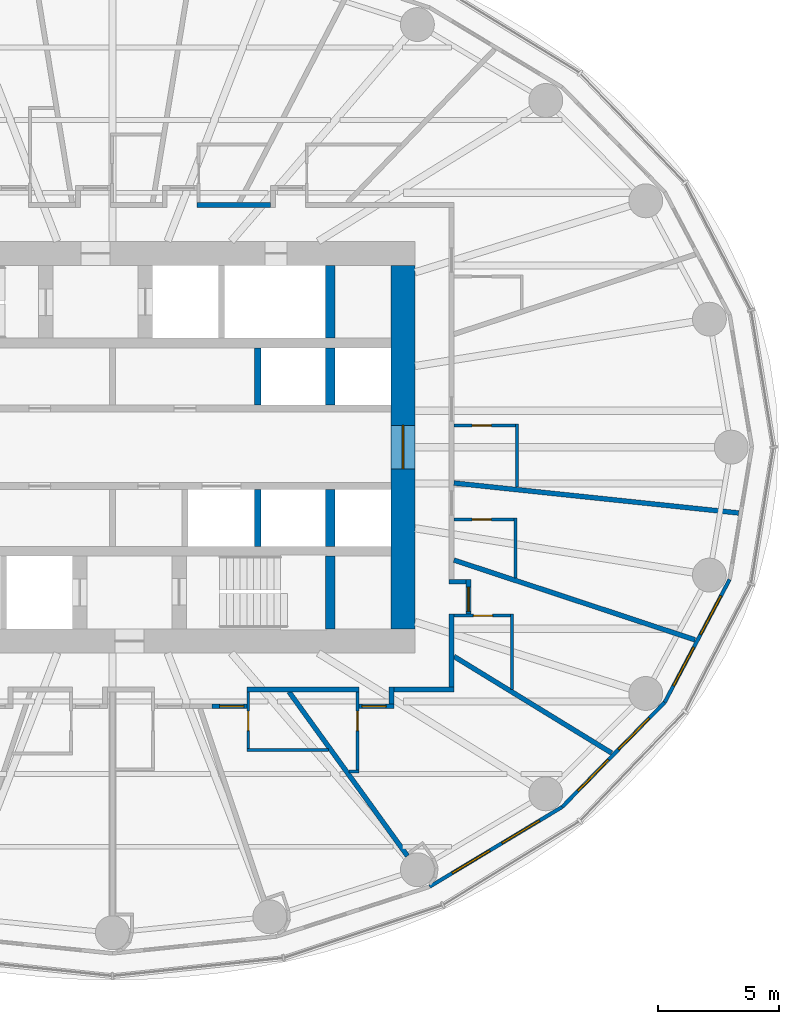
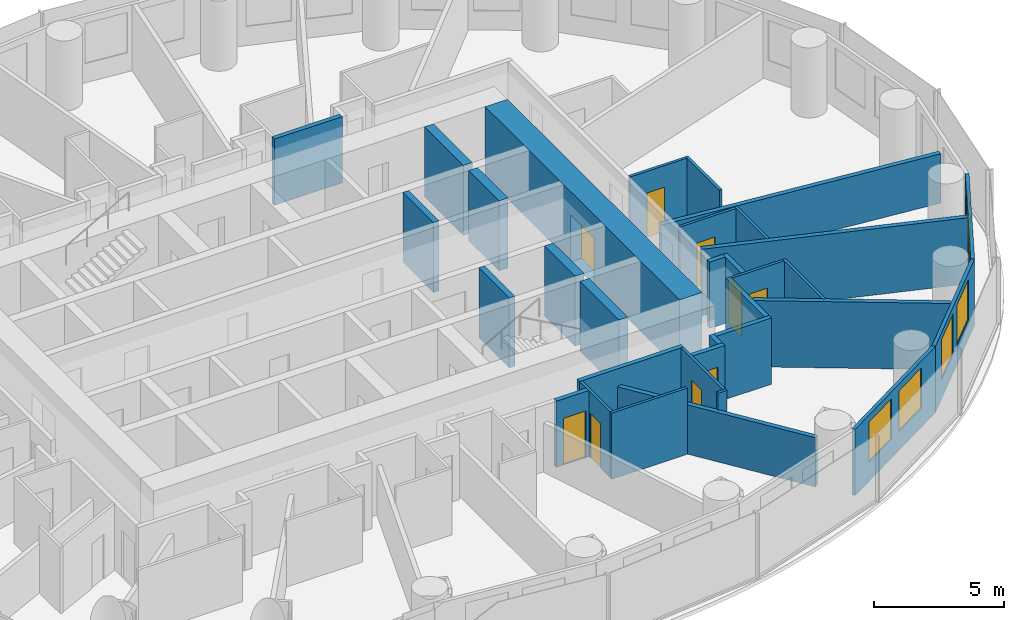
# One storey, part 10 of 14: 33 walls, 9 doors, 6 windows, 15 openings.
"""IFC4 building model written with IfcOpenShell, lengths in metres."""

from ifc_helpers import new_model, si_unit, direction, frame, frame_2d, origin, place, context, subcontext, project, spatial, rectangle, extrude, material, layer, layer_set, type_object, element, fill, save


model = new_model("IFC4")

# Units and contexts
model_context = context("Model", 3, precision=1e-05, world=origin(), true_north=direction((0.0, 1.0)))
body_context = subcontext(model_context, "Body", "Model", "MODEL_VIEW")
ifc_project = project(units=[si_unit("LENGTHUNIT", "METRE"), si_unit("AREAUNIT", "SQUARE_METRE"), si_unit("VOLUMEUNIT", "CUBIC_METRE"), si_unit("PLANEANGLEUNIT", "RADIAN"), si_unit("MASSUNIT", "GRAM", prefix="KILO")], contexts=[model_context])

# Site, building, storey
site_placement = place(None, origin())
site = spatial("IfcSite", under=ifc_project, at=site_placement, CompositionType="ELEMENT")
building_placement = place(site_placement, origin())
building = spatial("IfcBuilding", under=site, at=building_placement, Name="Hankou Lantern Tower", CompositionType="ELEMENT")
storey_placement = place(building_placement, frame((0.0, 0.0, 57.300048828125)))
storey = spatial("IfcBuildingStorey", under=building, at=storey_placement, Name="L13", CompositionType="ELEMENT", Elevation=57.300048828125)

# Wall, opening, door
ifc_material_1 = material(Name="Concrete C60", Category="concrete")
ifc_layer_1 = layer(ifc_material_1, 1.0)
ifc_layer_set_1 = layer_set([ifc_layer_1], Name="Concrete C60")
wall_type_1 = type_object("IfcWallType", Name="CW1 CORE WALL 1000", PredefinedType="SHEAR", material=ifc_layer_set_1)
wall_1_placement = place(storey_placement, frame((12.0, -7.5, 0.0), z_axis=(0.0, 0.0, 1.0), x_axis=(0.0, 1.0, 0.0)))
wall_1 = element("IfcWall", 1, at=wall_1_placement, inside=storey, type_object=wall_type_1, Name="Core wall east L13", PredefinedType="SHEAR", context=body_context, shape_type="SweptSolid", body=[
    extrude(rectangle(XDim=15.0, YDim=1.0, at=frame_2d((7.5, 0.0))), origin(), (0.0, 0.0, 1.0), 3.300048828125),
])
opening_1_placement = place(wall_1_placement, frame((6.60009765625, 0.0, 0.0)))
opening_1 = element("IfcOpeningElement", 2, at=opening_1_placement, cuts=wall_1, Name="Opening D6", PredefinedType="OPENING", context=body_context, shape_type="SweptSolid", body=[
    extrude(rectangle(XDim=1.800048828125, YDim=2.199951171875, at=frame_2d((0.89990234375, 1.10009765625))), frame((0.0, 0.510009765625, 0.0), z_axis=(0.0, -1.0, 0.0), x_axis=(1.0, 0.0, 0.0)), (0.0, 0.0, 1.0), 1.02001953125),
])
ifc_material_2 = material(Name="Steel door leaf", Category="steel")
door_type_1 = type_object("IfcDoorType", Name="D6 LIFT LOBBY DOOR 1800X2200", OperationType="DOUBLE_DOOR_DOUBLE_SWING", PredefinedType="DOOR", material=ifc_material_2)
door_1_placement = place(opening_1_placement, origin())
door_1 = element("IfcDoor", 3, at=door_1_placement, inside=storey, type_object=door_type_1, Name="Lift lobby east door", OperationType="DOUBLE_DOOR_DOUBLE_SWING", OverallHeight=2.199951171875, OverallWidth=1.800048828125, PredefinedType="DOOR", context=body_context, shape_type="SweptSolid", body=[
    extrude(rectangle(XDim=1.800048828125, YDim=2.199951171875, at=frame_2d((0.89990234375, 1.10009765625))), frame((0.0, 0.02490234375, 0.0), z_axis=(0.0, -1.0, 0.0), x_axis=(1.0, 0.0, 0.0)), (0.0, 0.0, 1.0), 0.050048828125),
])
fill(opening_1, door_1)

# Walls
ifc_material_3 = material(Name="Concrete C60", Category="concrete")
ifc_layer_2 = layer(ifc_material_3, 0.39990234375)
ifc_layer_set_2 = layer_set([ifc_layer_2], Name="Concrete C60")
wall_type_2 = type_object("IfcWallType", Name="CW4 CORE CROSS WALL 400", PredefinedType="SHEAR", material=ifc_layer_set_2)
wall_2_placement = place(storey_placement, frame((9.0, 4.5, 0.0), z_axis=(0.0, 0.0, 1.0), x_axis=(0.0, 1.0, 0.0)))
element("IfcWall", 4, at=wall_2_placement, inside=storey, type_object=wall_type_2, Name="Core strip wall L13", PredefinedType="SHEAR", context=body_context, shape_type="SweptSolid", body=[
    extrude(rectangle(XDim=3.0, YDim=0.39990234375, at=frame_2d((1.5, 0.0))), origin(), (0.0, 0.0, 1.0), 3.300048828125),
])
for number, where, z_axis, x_axis, name in (
    (5, (9.0, 1.75, 0.0), (0.0, 0.0, 1.0), (0.0, 1.0, 0.0), "Core strip wall L13"),
    (6, (9.0, -4.10009765625, 0.0), (0.0, 0.0, 1.0), (0.0, 1.0, 0.0), "Core strip wall L13"),
):
    element("IfcWall", number, at=place(storey_placement, frame(where, z_axis=z_axis, x_axis=x_axis)), inside=storey, type_object=wall_type_2, Name=name, PredefinedType="SHEAR", context=body_context, shape_type="SweptSolid", body=[
        extrude(rectangle(XDim=2.35009765625, YDim=0.39990234375, at=frame_2d((1.175048828125, 0.0))), origin(), (0.0, 0.0, 1.0), 3.300048828125),
    ])
wall_3_placement = place(storey_placement, frame((9.0, -7.5, 0.0), z_axis=(0.0, 0.0, 1.0), x_axis=(0.0, 1.0, 0.0)))
element("IfcWall", 7, at=wall_3_placement, inside=storey, type_object=wall_type_2, Name="Core strip wall L13", PredefinedType="SHEAR", context=body_context, shape_type="SweptSolid", body=[
    extrude(rectangle(XDim=3.0, YDim=0.39990234375, at=frame_2d((1.5, 0.0))), origin(), (0.0, 0.0, 1.0), 3.300048828125),
])

# Wall, openings, windows
ifc_material_4 = material(Name="Aluminium spandrel panel on steel studs", Category="steel")
ifc_layer_3 = layer(ifc_material_4, 0.14990234375)
ifc_layer_set_3 = layer_set([ifc_layer_3], Name="Aluminium spandrel panel on steel studs")
wall_type_3 = type_object("IfcWallType", Name="EW1 INNER SKIN WALL 150", PredefinedType="ELEMENTEDWALL", material=ifc_layer_set_3)
wall_4_placement = place(storey_placement, frame((13.096435546875, -18.14697265625, 0.0), z_axis=(0.0, 0.0, 1.0), x_axis=(0.856983180864, 0.515344377787, 0.0)))
wall_4 = element("IfcWall", 8, at=wall_4_placement, inside=storey, type_object=wall_type_3, Name="Inner skin R21-R22 L13", PredefinedType="ELEMENTEDWALL", context=body_context, shape_type="SweptSolid", body=[
    extrude(rectangle(XDim=6.386474609375, YDim=0.14990234375, at=frame_2d((3.193359375, 0.0))), origin(), (0.0, 0.0, 1.0), 3.119873046875),
])
opening_2_placement = place(wall_4_placement, frame((1.09326171875, 0.0, 0.89990234375)))
opening_2 = element("IfcOpeningElement", 9, at=opening_2_placement, cuts=wall_4, Name="Opening W1", PredefinedType="OPENING", context=body_context, shape_type="SweptSolid", body=[
    extrude(rectangle(XDim=1.800048828125, YDim=1.89990234375, at=frame_2d((0.89990234375, 0.949951171875))), frame((0.0, 0.0849609375, 0.0), z_axis=(0.0, -1.0, 0.0), x_axis=(1.0, 0.0, 0.0)), (0.0, 0.0, 1.0), 0.169921875),
])
opening_3_placement = place(wall_4_placement, frame((3.4931640625, 0.0, 0.89990234375)))
opening_3 = element("IfcOpeningElement", 10, at=opening_3_placement, cuts=wall_4, Name="Opening W1", PredefinedType="OPENING", context=body_context, shape_type="SweptSolid", body=[
    extrude(rectangle(XDim=1.800048828125, YDim=1.89990234375, at=frame_2d((0.89990234375, 0.949951171875))), frame((0.0, 0.0849609375, 0.0), z_axis=(0.0, -1.0, 0.0), x_axis=(1.0, 0.0, 0.0)), (0.0, 0.0, 1.0), 0.169921875),
])
ifc_material_5 = material(Name="Aluminium framed double glazed window", Category="aluminium")
window_type = type_object("IfcWindowType", Name="W1 GUEST ROOM WINDOW 1800X1900", PartitioningType="DOUBLE_PANEL_VERTICAL", PredefinedType="WINDOW", material=ifc_material_5)
window_1_placement = place(opening_2_placement, origin())
window_1 = element("IfcWindow", 11, at=window_1_placement, inside=storey, type_object=window_type, Name="Window R21.1 L13", OverallHeight=1.89990234375, OverallWidth=1.800048828125, PartitioningType="SINGLE_PANEL", PredefinedType="WINDOW", context=body_context, shape_type="SweptSolid", body=[
    extrude(rectangle(XDim=1.800048828125, YDim=1.89990234375, at=frame_2d((0.89990234375, 0.949951171875))), frame((0.0, 0.030029296875, 0.0), z_axis=(0.0, -1.0, 0.0), x_axis=(1.0, 0.0, 0.0)), (0.0, 0.0, 1.0), 0.06005859375),
])
fill(opening_2, window_1)
window_2_placement = place(opening_3_placement, origin())
window_2 = element("IfcWindow", 12, at=window_2_placement, inside=storey, type_object=window_type, Name="Window R21.2 L13", OverallHeight=1.89990234375, OverallWidth=1.800048828125, PartitioningType="SINGLE_PANEL", PredefinedType="WINDOW", context=body_context, shape_type="SweptSolid", body=[
    extrude(rectangle(XDim=1.800048828125, YDim=1.89990234375, at=frame_2d((0.89990234375, 0.949951171875))), frame((0.0, 0.030029296875, 0.0), z_axis=(0.0, -1.0, 0.0), x_axis=(1.0, 0.0, 0.0)), (0.0, 0.0, 1.0), 0.06005859375),
])
fill(opening_3, window_2)

wall_5_placement = place(storey_placement, frame((18.569580078125, -14.855712890625, 0.0), z_axis=(0.0, 0.0, 1.0), x_axis=(0.699602905915, 0.714531856557, 0.0)))
wall_5 = element("IfcWall", 13, at=wall_5_placement, inside=storey, type_object=wall_type_3, Name="Inner skin R22-R23 L13", PredefinedType="ELEMENTEDWALL", context=body_context, shape_type="SweptSolid", body=[
    extrude(rectangle(XDim=6.05078125, YDim=0.14990234375, at=frame_2d((3.025390625, 0.0))), origin(), (0.0, 0.0, 1.0), 3.119873046875),
])
opening_4_placement = place(wall_5_placement, frame((0.925537109375, 0.0, 0.89990234375)))
opening_4 = element("IfcOpeningElement", 14, at=opening_4_placement, cuts=wall_5, Name="Opening W1", PredefinedType="OPENING", context=body_context, shape_type="SweptSolid", body=[
    extrude(rectangle(XDim=1.800048828125, YDim=1.89990234375, at=frame_2d((0.89990234375, 0.949951171875))), frame((0.0, 0.0849609375, 0.0), z_axis=(0.0, -1.0, 0.0), x_axis=(1.0, 0.0, 0.0)), (0.0, 0.0, 1.0), 0.169921875),
])
opening_5_placement = place(wall_5_placement, frame((3.325439453125, 0.0, 0.89990234375)))
opening_5 = element("IfcOpeningElement", 15, at=opening_5_placement, cuts=wall_5, Name="Opening W1", PredefinedType="OPENING", context=body_context, shape_type="SweptSolid", body=[
    extrude(rectangle(XDim=1.800048828125, YDim=1.89990234375, at=frame_2d((0.89990234375, 0.949951171875))), frame((0.0, 0.0849609375, 0.0), z_axis=(0.0, -1.0, 0.0), x_axis=(1.0, 0.0, 0.0)), (0.0, 0.0, 1.0), 0.169921875),
])
window_3_placement = place(opening_4_placement, origin())
window_3 = element("IfcWindow", 16, at=window_3_placement, inside=storey, type_object=window_type, Name="Window R22.1 L13", OverallHeight=1.89990234375, OverallWidth=1.800048828125, PartitioningType="SINGLE_PANEL", PredefinedType="WINDOW", context=body_context, shape_type="SweptSolid", body=[
    extrude(rectangle(XDim=1.800048828125, YDim=1.89990234375, at=frame_2d((0.89990234375, 0.949951171875))), frame((0.0, 0.030029296875, 0.0), z_axis=(0.0, -1.0, 0.0), x_axis=(1.0, 0.0, 0.0)), (0.0, 0.0, 1.0), 0.06005859375),
])
fill(opening_4, window_3)
window_4_placement = place(opening_5_placement, origin())
window_4 = element("IfcWindow", 17, at=window_4_placement, inside=storey, type_object=window_type, Name="Window R22.2 L13", OverallHeight=1.89990234375, OverallWidth=1.800048828125, PartitioningType="SINGLE_PANEL", PredefinedType="WINDOW", context=body_context, shape_type="SweptSolid", body=[
    extrude(rectangle(XDim=1.800048828125, YDim=1.89990234375, at=frame_2d((0.89990234375, 0.949951171875))), frame((0.0, 0.030029296875, 0.0), z_axis=(0.0, -1.0, 0.0), x_axis=(1.0, 0.0, 0.0)), (0.0, 0.0, 1.0), 0.06005859375),
])
fill(opening_5, window_4)

wall_6_placement = place(storey_placement, frame((22.802734375, -10.5322265625, 0.0), z_axis=(0.0, 0.0, 1.0), x_axis=(0.467296867008, 0.884100468321, 0.0)))
wall_6 = element("IfcWall", 18, at=wall_6_placement, inside=storey, type_object=wall_type_3, Name="Inner skin R23-R24 L13", PredefinedType="ELEMENTEDWALL", context=body_context, shape_type="SweptSolid", body=[
    extrude(rectangle(XDim=5.734375, YDim=0.14990234375, at=frame_2d((2.8671875, 0.0))), origin(), (0.0, 0.0, 1.0), 3.119873046875),
])
opening_6_placement = place(wall_6_placement, frame((0.76708984375, 0.0, 0.89990234375)))
opening_6 = element("IfcOpeningElement", 19, at=opening_6_placement, cuts=wall_6, Name="Opening W1", PredefinedType="OPENING", context=body_context, shape_type="SweptSolid", body=[
    extrude(rectangle(XDim=1.800048828125, YDim=1.89990234375, at=frame_2d((0.89990234375, 0.949951171875))), frame((0.0, 0.0849609375, 0.0), z_axis=(0.0, -1.0, 0.0), x_axis=(1.0, 0.0, 0.0)), (0.0, 0.0, 1.0), 0.169921875),
])
opening_7_placement = place(wall_6_placement, frame((3.167236328125, 0.0, 0.89990234375)))
opening_7 = element("IfcOpeningElement", 20, at=opening_7_placement, cuts=wall_6, Name="Opening W1", PredefinedType="OPENING", context=body_context, shape_type="SweptSolid", body=[
    extrude(rectangle(XDim=1.800048828125, YDim=1.89990234375, at=frame_2d((0.89990234375, 0.949951171875))), frame((0.0, 0.0849609375, 0.0), z_axis=(0.0, -1.0, 0.0), x_axis=(1.0, 0.0, 0.0)), (0.0, 0.0, 1.0), 0.169921875),
])
window_5_placement = place(opening_6_placement, origin())
window_5 = element("IfcWindow", 21, at=window_5_placement, inside=storey, type_object=window_type, Name="Window R23.1 L13", OverallHeight=1.89990234375, OverallWidth=1.800048828125, PartitioningType="SINGLE_PANEL", PredefinedType="WINDOW", context=body_context, shape_type="SweptSolid", body=[
    extrude(rectangle(XDim=1.800048828125, YDim=1.89990234375, at=frame_2d((0.89990234375, 0.949951171875))), frame((0.0, 0.030029296875, 0.0), z_axis=(0.0, -1.0, 0.0), x_axis=(1.0, 0.0, 0.0)), (0.0, 0.0, 1.0), 0.06005859375),
])
fill(opening_6, window_5)
window_6_placement = place(opening_7_placement, origin())
window_6 = element("IfcWindow", 22, at=window_6_placement, inside=storey, type_object=window_type, Name="Window R23.2 L13", OverallHeight=1.89990234375, OverallWidth=1.800048828125, PartitioningType="SINGLE_PANEL", PredefinedType="WINDOW", context=body_context, shape_type="SweptSolid", body=[
    extrude(rectangle(XDim=1.800048828125, YDim=1.89990234375, at=frame_2d((0.89990234375, 0.949951171875))), frame((0.0, 0.030029296875, 0.0), z_axis=(0.0, -1.0, 0.0), x_axis=(1.0, 0.0, 0.0)), (0.0, 0.0, 1.0), 0.06005859375),
])
fill(opening_7, window_6)

# Walls
ifc_material_6 = material(Name="Masonry lightweight concrete block", Category="masonry")
ifc_layer_4 = layer(ifc_material_6, 0.199951171875)
ifc_layer_set_4 = layer_set([ifc_layer_4], Name="Masonry lightweight concrete block")
wall_type_4 = type_object("IfcWallType", Name="IW1 GUEST ROOM PARTY WALL 200", PredefinedType="PARTITIONING", material=ifc_layer_set_4)
wall_7_placement = place(storey_placement, frame((7.2890625, -10.10009765625, 0.0), z_axis=(0.0, 0.0, 1.0), x_axis=(0.585198353053, -0.810890182197, 0.0)))
element("IfcWall", 23, at=wall_7_placement, inside=storey, type_object=wall_type_4, Name="Party wall R21", PredefinedType="PARTITIONING", context=body_context, shape_type="SweptSolid", body=[
    extrude(rectangle(XDim=8.359619140625, YDim=0.199951171875, at=frame_2d((4.1796875, 0.0))), origin(), (0.0, 0.0, 1.0), 2.320068359375),
])
wall_8_placement = place(storey_placement, frame((14.10009765625, -8.638916015625, 0.0), z_axis=(0.0, 0.0, 1.0), x_axis=(0.852672493023, -0.522445805459, 0.0)))
element("IfcWall", 24, at=wall_8_placement, inside=storey, type_object=wall_type_4, Name="Party wall R22-R23", PredefinedType="PARTITIONING", context=body_context, shape_type="SweptSolid", body=[
    extrude(rectangle(XDim=7.63330078125, YDim=0.199951171875, at=frame_2d((3.816650390625, 0.0))), origin(), (0.0, 0.0, 1.0), 3.119873046875),
])
wall_9_placement = place(storey_placement, frame((14.10009765625, -4.6630859375, 0.0), z_axis=(0.0, 0.0, 1.0), x_axis=(0.949432655039, -0.31397075269, 0.0)))
element("IfcWall", 25, at=wall_9_placement, inside=storey, type_object=wall_type_4, Name="Party wall R23-R24", PredefinedType="PARTITIONING", context=body_context, shape_type="SweptSolid", body=[
    extrude(rectangle(XDim=10.48583984375, YDim=0.199951171875, at=frame_2d((5.242919921875, 0.0))), origin(), (0.0, 0.0, 1.0), 3.119873046875),
])
wall_10_placement = place(storey_placement, frame((14.10009765625, -1.48193359375, 0.0), z_axis=(0.0, 0.0, 1.0), x_axis=(0.994522076235, -0.104526742422, 0.0)))
element("IfcWall", 26, at=wall_10_placement, inside=storey, type_object=wall_type_4, Name="Party wall R24-R01", PredefinedType="PARTITIONING", context=body_context, shape_type="SweptSolid", body=[
    extrude(rectangle(XDim=11.82080078125, YDim=0.199951171875, at=frame_2d((5.910400390625, 0.0))), origin(), (0.0, 0.0, 1.0), 2.320068359375),
])

# Wall, opening, door
ifc_material_7 = material(Name="Masonry lightweight concrete block", Category="masonry")
ifc_layer_5 = layer(ifc_material_7, 0.199951171875)
ifc_layer_set_5 = layer_set([ifc_layer_5], Name="Masonry lightweight concrete block")
wall_type_5 = type_object("IfcWallType", Name="IW2 CORRIDOR WALL 200", PredefinedType="PARTITIONING", material=ifc_layer_set_5)
wall_11_placement = place(storey_placement, frame((5.549072265625, -10.699951171875, 0.0), z_axis=(0.0, 0.0, 1.0), x_axis=(-1.0, 0.0, 0.0)))
wall_11 = element("IfcWall", 27, at=wall_11_placement, inside=storey, type_object=wall_type_5, Name="Corridor recess wall 1316 back", PredefinedType="PARTITIONING", context=body_context, shape_type="SweptSolid", body=[
    extrude(rectangle(XDim=1.43994140625, YDim=0.199951171875, at=frame_2d((0.719970703125, 0.0))), origin(), (0.0, 0.0, 1.0), 3.119873046875),
])
opening_8_placement = place(wall_11_placement, frame((0.1201171875, 0.0, 0.0)))
opening_8 = element("IfcOpeningElement", 28, at=opening_8_placement, cuts=wall_11, Name="Opening D1", PredefinedType="OPENING", context=body_context, shape_type="SweptSolid", body=[
    extrude(rectangle(XDim=1.0, YDim=2.199951171875, at=frame_2d((0.5, 1.10009765625))), frame((0.0, 0.10986328125, 0.0), z_axis=(0.0, -1.0, 0.0), x_axis=(1.0, 0.0, 0.0)), (0.0, 0.0, 1.0), 0.219970703125),
])
ifc_material_8 = material(Name="Steel door leaf", Category="steel")
door_type_2 = type_object("IfcDoorType", Name="D1 GUEST ROOM DOOR 1000X2200", OperationType="SINGLE_SWING_LEFT", PredefinedType="DOOR", material=ifc_material_8)
door_2_placement = place(opening_8_placement, origin())
door_2 = element("IfcDoor", 29, at=door_2_placement, inside=storey, type_object=door_type_2, Name="Guest room door 1316", OperationType="SINGLE_SWING_LEFT", OverallHeight=2.199951171875, OverallWidth=1.0, PredefinedType="DOOR", context=body_context, shape_type="SweptSolid", body=[
    extrude(rectangle(XDim=1.0, YDim=2.199951171875, at=frame_2d((0.5, 1.10009765625))), frame((0.0, 0.02490234375, 0.0), z_axis=(0.0, -1.0, 0.0), x_axis=(1.0, 0.0, 0.0)), (0.0, 0.0, 1.0), 0.050048828125),
])
fill(opening_8, door_2)

wall_12_placement = place(storey_placement, frame((11.619140625, -10.699951171875, 0.0), z_axis=(0.0, 0.0, 1.0), x_axis=(-1.0, 0.0, 0.0)))
wall_12 = element("IfcWall", 30, at=wall_12_placement, inside=storey, type_object=wall_type_5, Name="Corridor recess wall 1317 back", PredefinedType="PARTITIONING", context=body_context, shape_type="SweptSolid", body=[
    extrude(rectangle(XDim=1.440185546875, YDim=0.199951171875, at=frame_2d((0.72021484375, 0.0))), origin(), (0.0, 0.0, 1.0), 3.119873046875),
])
opening_9_placement = place(wall_12_placement, frame((0.320068359375, 0.0, 0.0)))
opening_9 = element("IfcOpeningElement", 31, at=opening_9_placement, cuts=wall_12, Name="Opening D1", PredefinedType="OPENING", context=body_context, shape_type="SweptSolid", body=[
    extrude(rectangle(XDim=1.0, YDim=2.199951171875, at=frame_2d((0.5, 1.10009765625))), frame((0.0, 0.10986328125, 0.0), z_axis=(0.0, -1.0, 0.0), x_axis=(1.0, 0.0, 0.0)), (0.0, 0.0, 1.0), 0.219970703125),
])
door_3_placement = place(opening_9_placement, origin())
door_3 = element("IfcDoor", 32, at=door_3_placement, inside=storey, type_object=door_type_2, Name="Guest room door 1317", OperationType="SINGLE_SWING_RIGHT", OverallHeight=2.199951171875, OverallWidth=1.0, PredefinedType="DOOR", context=body_context, shape_type="SweptSolid", body=[
    extrude(rectangle(XDim=1.0, YDim=2.199951171875, at=frame_2d((0.5, 1.10009765625))), frame((0.0, 0.02490234375, 0.0), z_axis=(0.0, -1.0, 0.0), x_axis=(1.0, 0.0, 0.0)), (0.0, 0.0, 1.0), 0.050048828125),
])
fill(opening_9, door_3)

# Wall
wall_13_placement = place(storey_placement, frame((11.51904296875, -9.89990234375, 0.0), z_axis=(0.0, 0.0, 1.0), x_axis=(0.0, -1.0, 0.0)))
element("IfcWall", 33, at=wall_13_placement, inside=storey, type_object=wall_type_5, Name="Corridor recess wall 1317 side", PredefinedType="PARTITIONING", context=body_context, shape_type="SweptSolid", body=[
    extrude(rectangle(XDim=0.7001953125, YDim=0.199951171875, at=frame_2d((0.35009765625, 0.0))), origin(), (0.0, 0.0, 1.0), 3.119873046875),
])

# Wall, opening, door
wall_14_placement = place(storey_placement, frame((14.699951171875, -6.89892578125, 0.0), z_axis=(0.0, 0.0, 1.0), x_axis=(0.0, 1.0, 0.0)))
wall_14 = element("IfcWall", 34, at=wall_14_placement, inside=storey, type_object=wall_type_5, Name="Corridor recess wall 1318 back", PredefinedType="PARTITIONING", context=body_context, shape_type="SweptSolid", body=[
    extrude(rectangle(XDim=1.43994140625, YDim=0.199951171875, at=frame_2d((0.719970703125, 0.0))), origin(), (0.0, 0.0, 1.0), 3.119873046875),
])
opening_10_placement = place(wall_14_placement, frame((0.1201171875, 0.0, 0.0)))
opening_10 = element("IfcOpeningElement", 35, at=opening_10_placement, cuts=wall_14, Name="Opening D1", PredefinedType="OPENING", context=body_context, shape_type="SweptSolid", body=[
    extrude(rectangle(XDim=1.0, YDim=2.199951171875, at=frame_2d((0.5, 1.10009765625))), frame((0.0, 0.10986328125, 0.0), z_axis=(0.0, -1.0, 0.0), x_axis=(1.0, 0.0, 0.0)), (0.0, 0.0, 1.0), 0.219970703125),
])
door_4_placement = place(opening_10_placement, origin())
door_4 = element("IfcDoor", 36, at=door_4_placement, inside=storey, type_object=door_type_2, Name="Guest room door 1318", OperationType="SINGLE_SWING_LEFT", OverallHeight=2.199951171875, OverallWidth=1.0, PredefinedType="DOOR", context=body_context, shape_type="SweptSolid", body=[
    extrude(rectangle(XDim=1.0, YDim=2.199951171875, at=frame_2d((0.5, 1.10009765625))), frame((0.0, 0.02490234375, 0.0), z_axis=(0.0, -1.0, 0.0), x_axis=(1.0, 0.0, 0.0)), (0.0, 0.0, 1.0), 0.050048828125),
])
fill(opening_10, door_4)

# Walls
wall_15_placement = place(storey_placement, frame((13.89990234375, -5.55908203125, 0.0), z_axis=(0.0, 0.0, 1.0), x_axis=(1.0, 0.0, 0.0)))
element("IfcWall", 37, at=wall_15_placement, inside=storey, type_object=wall_type_5, Name="Corridor recess wall 1318 side", PredefinedType="PARTITIONING", context=body_context, shape_type="SweptSolid", body=[
    extrude(rectangle(XDim=0.7001953125, YDim=0.199951171875, at=frame_2d((0.35009765625, 0.0))), origin(), (0.0, 0.0, 1.0), 3.119873046875),
])
wall_16_placement = place(storey_placement, frame((3.49853515625, 10.0, 0.0), z_axis=(0.0, 0.0, 1.0), x_axis=(1.0, 0.0, 0.0)))
element("IfcWall", 38, at=wall_16_placement, inside=storey, type_object=wall_type_5, Name="Corridor wall north", PredefinedType="PARTITIONING", context=body_context, shape_type="SweptSolid", body=[
    extrude(rectangle(XDim=3.026611328125, YDim=0.199951171875, at=frame_2d((1.51318359375, 0.0))), origin(), (0.0, 0.0, 1.0), 3.119873046875),
])
wall_17_placement = place(storey_placement, frame((14.10009765625, -10.0, 0.0), z_axis=(0.0, 0.0, 1.0), x_axis=(-1.0, 0.0, 0.0)))
element("IfcWall", 39, at=wall_17_placement, inside=storey, type_object=wall_type_5, Name="Corridor wall south", PredefinedType="PARTITIONING", context=body_context, shape_type="SweptSolid", body=[
    extrude(rectangle(XDim=2.48095703125, YDim=0.199951171875, at=frame_2d((1.240478515625, 0.0))), origin(), (0.0, 0.0, 1.0), 3.119873046875),
])
wall_18_placement = place(storey_placement, frame((10.178955078125, -10.0, 0.0), z_axis=(0.0, 0.0, 1.0), x_axis=(-1.0, 0.0, 0.0)))
element("IfcWall", 40, at=wall_18_placement, inside=storey, type_object=wall_type_5, Name="Corridor wall south", PredefinedType="PARTITIONING", context=body_context, shape_type="SweptSolid", body=[
    extrude(rectangle(XDim=4.6298828125, YDim=0.199951171875, at=frame_2d((2.31494140625, 0.0))), origin(), (0.0, 0.0, 1.0), 3.119873046875),
])
wall_19_placement = place(storey_placement, frame((14.0, -9.89990234375, 0.0), z_axis=(0.0, 0.0, 1.0), x_axis=(0.0, 1.0, 0.0)))
element("IfcWall", 41, at=wall_19_placement, inside=storey, type_object=wall_type_5, Name="Corridor wall east", PredefinedType="PARTITIONING", context=body_context, shape_type="SweptSolid", body=[
    extrude(rectangle(XDim=3.0009765625, YDim=0.199951171875, at=frame_2d((1.50048828125, 0.0))), origin(), (0.0, 0.0, 1.0), 3.119873046875),
])
ifc_material_9 = material(Name="Masonry lightweight concrete block", Category="masonry")
ifc_layer_6 = layer(ifc_material_9, 0.1201171875)
ifc_layer_set_6 = layer_set([ifc_layer_6], Name="Masonry lightweight concrete block")
wall_type_6 = type_object("IfcWallType", Name="IW3 BATHROOM WALL 120", PredefinedType="PARTITIONING", material=ifc_layer_set_6)
wall_20_placement = place(storey_placement, frame((8.921142578125, -12.5, 0.0), z_axis=(0.0, 0.0, 1.0), x_axis=(-1.0, 0.0, 0.0)))
element("IfcWall", 42, at=wall_20_placement, inside=storey, type_object=wall_type_6, Name="Box wall 1316 1", PredefinedType="PARTITIONING", context=body_context, shape_type="SweptSolid", body=[
    extrude(rectangle(XDim=3.3720703125, YDim=0.1201171875, at=frame_2d((1.68603515625, 0.0))), origin(), (0.0, 0.0, 1.0), 3.119873046875),
])

# Wall, opening, door
wall_21_placement = place(storey_placement, frame((5.609130859375, -10.10009765625, 0.0), z_axis=(0.0, 0.0, 1.0), x_axis=(0.0, -1.0, 0.0)))
wall_21 = element("IfcWall", 43, at=wall_21_placement, inside=storey, type_object=wall_type_6, Name="Box wall 1316 1", PredefinedType="PARTITIONING", context=body_context, shape_type="SweptSolid", body=[
    extrude(rectangle(XDim=2.33984375, YDim=0.1201171875, at=frame_2d((1.169921875, 0.0))), origin(), (0.0, 0.0, 1.0), 3.119873046875),
])
opening_11_placement = place(wall_21_placement, frame((0.800048828125, 0.0, 0.0)))
opening_11 = element("IfcOpeningElement", 44, at=opening_11_placement, cuts=wall_21, Name="Opening D3", PredefinedType="OPENING", context=body_context, shape_type="SweptSolid", body=[
    extrude(rectangle(XDim=0.800048828125, YDim=2.10009765625, at=frame_2d((0.39990234375, 1.050048828125))), frame((0.0, 0.070068359375, 0.0), z_axis=(0.0, -1.0, 0.0), x_axis=(1.0, 0.0, 0.0)), (0.0, 0.0, 1.0), 0.14013671875),
])
ifc_material_10 = material(Name="Timber door leaf", Category="wood")
door_type_3 = type_object("IfcDoorType", Name="D3 BATHROOM DOOR 800X2100", OperationType="SINGLE_SWING_LEFT", PredefinedType="DOOR", material=ifc_material_10)
door_5_placement = place(opening_11_placement, origin())
door_5 = element("IfcDoor", 45, at=door_5_placement, inside=storey, type_object=door_type_3, Name="En-suite bathroom 1316 door", OperationType="SINGLE_SWING_RIGHT", OverallHeight=2.10009765625, OverallWidth=0.800048828125, PredefinedType="DOOR", context=body_context, shape_type="SweptSolid", body=[
    extrude(rectangle(XDim=0.800048828125, YDim=2.10009765625, at=frame_2d((0.39990234375, 1.050048828125))), frame((0.0, 0.02490234375, 0.0), z_axis=(0.0, -1.0, 0.0), x_axis=(1.0, 0.0, 0.0)), (0.0, 0.0, 1.0), 0.050048828125),
])
fill(opening_11, door_5)

# Wall
wall_22_placement = place(storey_placement, frame((9.7705078125, -13.39990234375, 0.0), z_axis=(0.0, 0.0, 1.0), x_axis=(1.0, 0.0, 0.0)))
element("IfcWall", 46, at=wall_22_placement, inside=storey, type_object=wall_type_6, Name="Box wall 1317 1", PredefinedType="PARTITIONING", context=body_context, shape_type="SweptSolid", body=[
    extrude(rectangle(XDim=0.408447265625, YDim=0.1201171875, at=frame_2d((0.2041015625, 0.0))), origin(), (0.0, 0.0, 1.0), 3.119873046875),
])

# Wall, opening, door
wall_23_placement = place(storey_placement, frame((10.119140625, -10.10009765625, 0.0), z_axis=(0.0, 0.0, 1.0), x_axis=(0.0, -1.0, 0.0)))
wall_23 = element("IfcWall", 47, at=wall_23_placement, inside=storey, type_object=wall_type_6, Name="Box wall 1317 1", PredefinedType="PARTITIONING", context=body_context, shape_type="SweptSolid", body=[
    extrude(rectangle(XDim=3.239990234375, YDim=0.1201171875, at=frame_2d((1.6201171875, 0.0))), origin(), (0.0, 0.0, 1.0), 3.119873046875),
])
opening_12_placement = place(wall_23_placement, frame((0.800048828125, 0.0, 0.0)))
opening_12 = element("IfcOpeningElement", 48, at=opening_12_placement, cuts=wall_23, Name="Opening D3", PredefinedType="OPENING", context=body_context, shape_type="SweptSolid", body=[
    extrude(rectangle(XDim=0.800048828125, YDim=2.10009765625, at=frame_2d((0.39990234375, 1.050048828125))), frame((0.0, 0.070068359375, 0.0), z_axis=(0.0, -1.0, 0.0), x_axis=(1.0, 0.0, 0.0)), (0.0, 0.0, 1.0), 0.14013671875),
])
door_6_placement = place(opening_12_placement, origin())
door_6 = element("IfcDoor", 49, at=door_6_placement, inside=storey, type_object=door_type_3, Name="En-suite bathroom 1317 door", OperationType="SINGLE_SWING_LEFT", OverallHeight=2.10009765625, OverallWidth=0.800048828125, PredefinedType="DOOR", context=body_context, shape_type="SweptSolid", body=[
    extrude(rectangle(XDim=0.800048828125, YDim=2.10009765625, at=frame_2d((0.39990234375, 1.050048828125))), frame((0.0, 0.02490234375, 0.0), z_axis=(0.0, -1.0, 0.0), x_axis=(1.0, 0.0, 0.0)), (0.0, 0.0, 1.0), 0.050048828125),
])
fill(opening_12, door_6)

# Wall
wall_24_placement = place(storey_placement, frame((16.5, -10.009521484375, 0.0), z_axis=(0.0, 0.0, 1.0), x_axis=(0.0, 1.0, 0.0)))
element("IfcWall", 50, at=wall_24_placement, inside=storey, type_object=wall_type_6, Name="Box wall 1318 1", PredefinedType="PARTITIONING", context=body_context, shape_type="SweptSolid", body=[
    extrude(rectangle(XDim=3.110595703125, YDim=0.1201171875, at=frame_2d((1.55517578125, 0.0))), origin(), (0.0, 0.0, 1.0), 3.119873046875),
])

# Wall, opening, door
wall_25_placement = place(storey_placement, frame((14.10009765625, -6.958984375, 0.0), z_axis=(0.0, 0.0, 1.0), x_axis=(1.0, 0.0, 0.0)))
wall_25 = element("IfcWall", 51, at=wall_25_placement, inside=storey, type_object=wall_type_6, Name="Box wall 1318 1", PredefinedType="PARTITIONING", context=body_context, shape_type="SweptSolid", body=[
    extrude(rectangle(XDim=2.33984375, YDim=0.1201171875, at=frame_2d((1.169921875, 0.0))), origin(), (0.0, 0.0, 1.0), 3.119873046875),
])
opening_13_placement = place(wall_25_placement, frame((0.800048828125, 0.0, 0.0)))
opening_13 = element("IfcOpeningElement", 52, at=opening_13_placement, cuts=wall_25, Name="Opening D3", PredefinedType="OPENING", context=body_context, shape_type="SweptSolid", body=[
    extrude(rectangle(XDim=0.800048828125, YDim=2.10009765625, at=frame_2d((0.39990234375, 1.050048828125))), frame((0.0, 0.070068359375, 0.0), z_axis=(0.0, -1.0, 0.0), x_axis=(1.0, 0.0, 0.0)), (0.0, 0.0, 1.0), 0.14013671875),
])
door_7_placement = place(opening_13_placement, origin())
door_7 = element("IfcDoor", 53, at=door_7_placement, inside=storey, type_object=door_type_3, Name="En-suite bathroom 1318 door", OperationType="SINGLE_SWING_LEFT", OverallHeight=2.10009765625, OverallWidth=0.800048828125, PredefinedType="DOOR", context=body_context, shape_type="SweptSolid", body=[
    extrude(rectangle(XDim=0.800048828125, YDim=2.10009765625, at=frame_2d((0.39990234375, 1.050048828125))), frame((0.0, 0.02490234375, 0.0), z_axis=(0.0, -1.0, 0.0), x_axis=(1.0, 0.0, 0.0)), (0.0, 0.0, 1.0), 0.050048828125),
])
fill(opening_13, door_7)

# Wall
wall_26_placement = place(storey_placement, frame((16.64990234375, -5.40625, 0.0), z_axis=(0.0, 0.0, 1.0), x_axis=(0.0, 1.0, 0.0)))
element("IfcWall", 54, at=wall_26_placement, inside=storey, type_object=wall_type_6, Name="Box wall 1319 1", PredefinedType="PARTITIONING", context=body_context, shape_type="SweptSolid", body=[
    extrude(rectangle(XDim=2.483154296875, YDim=0.1201171875, at=frame_2d((1.24169921875, 0.0))), origin(), (0.0, 0.0, 1.0), 3.119873046875),
])

# Wall, opening, door
wall_27_placement = place(storey_placement, frame((14.10009765625, -2.98291015625, 0.0), z_axis=(0.0, 0.0, 1.0), x_axis=(1.0, 0.0, 0.0)))
wall_27 = element("IfcWall", 55, at=wall_27_placement, inside=storey, type_object=wall_type_6, Name="Box wall 1319 1", PredefinedType="PARTITIONING", context=body_context, shape_type="SweptSolid", body=[
    extrude(rectangle(XDim=2.489990234375, YDim=0.1201171875, at=frame_2d((1.2451171875, 0.0))), origin(), (0.0, 0.0, 1.0), 3.119873046875),
])
opening_14_placement = place(wall_27_placement, frame((0.75, 0.0, 0.0)))
opening_14 = element("IfcOpeningElement", 56, at=opening_14_placement, cuts=wall_27, Name="Opening D3", PredefinedType="OPENING", context=body_context, shape_type="SweptSolid", body=[
    extrude(rectangle(XDim=0.800048828125, YDim=2.10009765625, at=frame_2d((0.39990234375, 1.050048828125))), frame((0.0, 0.070068359375, 0.0), z_axis=(0.0, -1.0, 0.0), x_axis=(1.0, 0.0, 0.0)), (0.0, 0.0, 1.0), 0.14013671875),
])
door_8_placement = place(opening_14_placement, origin())
door_8 = element("IfcDoor", 57, at=door_8_placement, inside=storey, type_object=door_type_3, Name="En-suite bathroom 1319 door", OperationType="SINGLE_SWING_LEFT", OverallHeight=2.10009765625, OverallWidth=0.800048828125, PredefinedType="DOOR", context=body_context, shape_type="SweptSolid", body=[
    extrude(rectangle(XDim=0.800048828125, YDim=2.10009765625, at=frame_2d((0.39990234375, 1.050048828125))), frame((0.0, 0.02490234375, 0.0), z_axis=(0.0, -1.0, 0.0), x_axis=(1.0, 0.0, 0.0)), (0.0, 0.0, 1.0), 0.050048828125),
])
fill(opening_14, door_8)

# Wall
wall_28_placement = place(storey_placement, frame((16.699951171875, -1.6552734375, 0.0), z_axis=(0.0, 0.0, 1.0), x_axis=(0.0, 1.0, 0.0)))
element("IfcWall", 58, at=wall_28_placement, inside=storey, type_object=wall_type_6, Name="Box wall 1320 1", PredefinedType="PARTITIONING", context=body_context, shape_type="SweptSolid", body=[
    extrude(rectangle(XDim=2.61328125, YDim=0.1201171875, at=frame_2d((1.306640625, 0.0))), origin(), (0.0, 0.0, 1.0), 3.119873046875),
])

# Wall, opening, door
wall_29_placement = place(storey_placement, frame((14.10009765625, 0.89794921875, 0.0), z_axis=(0.0, 0.0, 1.0), x_axis=(1.0, 0.0, 0.0)))
wall_29 = element("IfcWall", 59, at=wall_29_placement, inside=storey, type_object=wall_type_6, Name="Box wall 1320 1", PredefinedType="PARTITIONING", context=body_context, shape_type="SweptSolid", body=[
    extrude(rectangle(XDim=2.539794921875, YDim=0.1201171875, at=frame_2d((1.27001953125, 0.0))), origin(), (0.0, 0.0, 1.0), 3.119873046875),
])
opening_15_placement = place(wall_29_placement, frame((0.75, 0.0, 0.0)))
opening_15 = element("IfcOpeningElement", 60, at=opening_15_placement, cuts=wall_29, Name="Opening D3", PredefinedType="OPENING", context=body_context, shape_type="SweptSolid", body=[
    extrude(rectangle(XDim=0.800048828125, YDim=2.10009765625, at=frame_2d((0.39990234375, 1.050048828125))), frame((0.0, 0.070068359375, 0.0), z_axis=(0.0, -1.0, 0.0), x_axis=(1.0, 0.0, 0.0)), (0.0, 0.0, 1.0), 0.14013671875),
])
door_9_placement = place(opening_15_placement, origin())
door_9 = element("IfcDoor", 61, at=door_9_placement, inside=storey, type_object=door_type_3, Name="Junior suite 1320 bathroom door", OperationType="SINGLE_SWING_LEFT", OverallHeight=2.10009765625, OverallWidth=0.800048828125, PredefinedType="DOOR", context=body_context, shape_type="SweptSolid", body=[
    extrude(rectangle(XDim=0.800048828125, YDim=2.10009765625, at=frame_2d((0.39990234375, 1.050048828125))), frame((0.0, 0.02490234375, 0.0), z_axis=(0.0, -1.0, 0.0), x_axis=(1.0, 0.0, 0.0)), (0.0, 0.0, 1.0), 0.050048828125),
])
fill(opening_15, door_9)

# Walls
ifc_material_11 = material(Name="Masonry autoclaved aerated concrete block", Category="masonry")
ifc_layer_7 = layer(ifc_material_11, 0.25)
ifc_layer_set_7 = layer_set([ifc_layer_7], Name="Masonry autoclaved aerated concrete block")
wall_type_7 = type_object("IfcWallType", Name="SW1 SHAFT BLOCK WALL 250", PredefinedType="PARTITIONING", material=ifc_layer_set_7)
for number, where, z_axis, x_axis, name in (
    (62, (6.0, 1.75, 0.0), (0.0, 0.0, 1.0), (0.0, 1.0, 0.0), "Lift shaft wall L13"),
    (63, (6.0, -4.10009765625, 0.0), (0.0, 0.0, 1.0), (0.0, 1.0, 0.0), "Lift shaft wall L13"),
):
    element("IfcWall", number, at=place(storey_placement, frame(where, z_axis=z_axis, x_axis=x_axis)), inside=storey, type_object=wall_type_7, Name=name, PredefinedType="PARTITIONING", context=body_context, shape_type="SweptSolid", body=[
        extrude(rectangle(XDim=2.35009765625, YDim=0.25, at=frame_2d((1.175048828125, 0.0))), origin(), (0.0, 0.0, 1.0), 3.300048828125),
    ])

save(model, "model.ifc")
